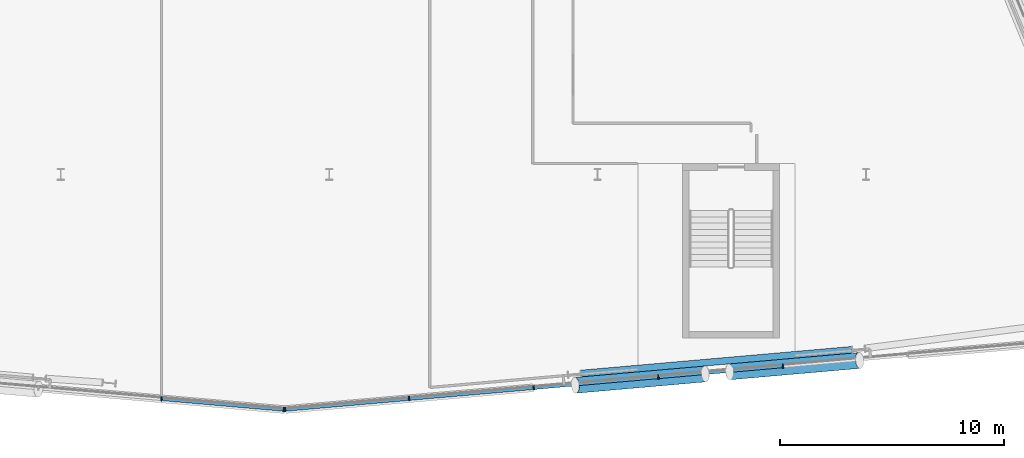
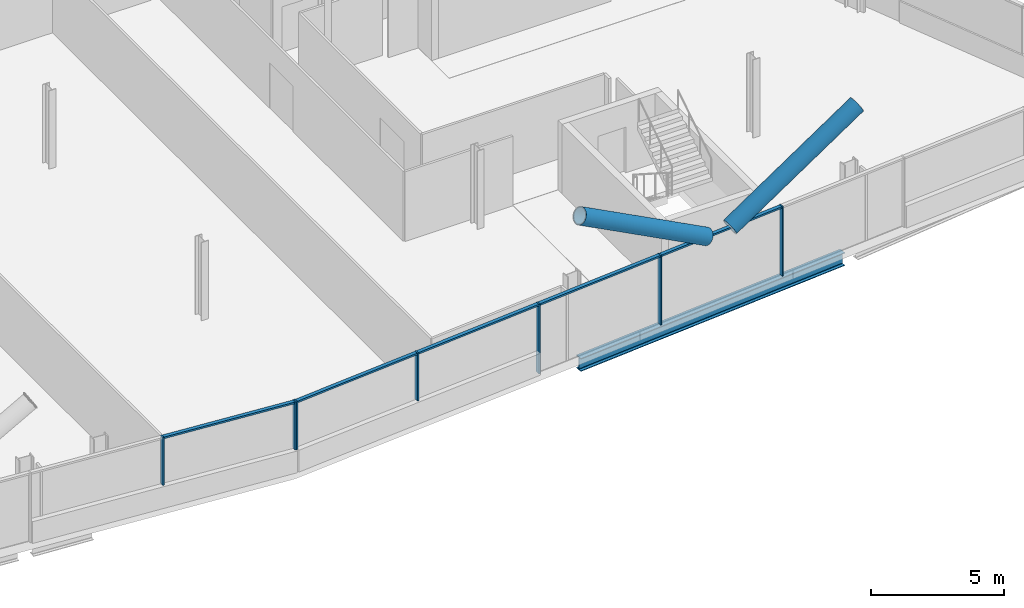
# One storey, part 8 of 26: 14 members, 1 beam, 2 elements without a shape of their own.
"""IFC4 building model written with IfcOpenShell, lengths in metres."""

from ifc_helpers import new_model, si_unit, direction, frame, origin, origin_2d, place, context, subcontext, project, spatial, rectangle, hollow_circle, i_section, extrude, material, material_profile, profile_set, type_object, element, aggregate, save


model = new_model("IFC4")

# Units and contexts
model_context = context("Model", 3, precision=1e-05, world=origin(), true_north=direction((0.0, 1.0)))
body_context = subcontext(model_context, "Body", "Model", "MODEL_VIEW")
ifc_project = project(units=[si_unit("LENGTHUNIT", "METRE"), si_unit("AREAUNIT", "SQUARE_METRE"), si_unit("VOLUMEUNIT", "CUBIC_METRE"), si_unit("PLANEANGLEUNIT", "RADIAN"), si_unit("MASSUNIT", "GRAM", prefix="KILO")], contexts=[model_context])

# Site, building, storey
site_placement = place(None, origin())
site = spatial("IfcSite", under=ifc_project, at=site_placement, CompositionType="ELEMENT")
building_placement = place(site_placement, origin())
building = spatial("IfcBuilding", under=site, at=building_placement, Name="Wharfspan Tower", CompositionType="ELEMENT")
storey_placement = place(building_placement, frame((0.0, 0.0, 180.699951)))
storey = spatial("IfcBuildingStorey", under=building, at=storey_placement, Name="L44", CompositionType="ELEMENT", Elevation=180.699951)

# Beam
ifc_material_1 = material(Name="Steel S355J2", Category="steel")
ifc_material_profile_1 = material_profile(ifc_material_1, i_section(OverallWidth=0.300049, OverallDepth=0.600098, WebThickness=0.015381, FlangeThickness=0.030029, FilletRadius=0.0271, at=origin_2d()))
ifc_profile_set_1 = profile_set([ifc_material_profile_1], Name="Steel S355J2")
beam_type = type_object("IfcBeamType", Name="Edge beam HEB 600", PredefinedType="SPANDREL", material=ifc_profile_set_1)
beam_placement = place(storey_placement, frame((59.265625, 2.600342, -0.699951), z_axis=(0.996195, 0.087155, 0.0), x_axis=(-0.087155, 0.996195, 0.0)))
element("IfcBeam", 1, at=beam_placement, inside=storey, type_object=beam_type, Name="Edge beam S2 L44 PS2.1 to PS2.2", PredefinedType="SPANDREL", context=body_context, shape_type="SweptSolid", body=[
    extrude(i_section(OverallWidth=0.300049, OverallDepth=0.600098, WebThickness=0.015381, FlangeThickness=0.030029, FilletRadius=0.0271, at=origin_2d()), origin(), (0.0, 0.0, 1.0), 12.137695),
])

# Curtain wall, members
ifc_material_2 = material(Name="Aluminium 6063-T6", Category="aluminium")
curtain_wall_type = type_object("IfcCurtainWallType", Name="CURTAIN WALL FACETED FRONT", PredefinedType="NOTDEFINED", material=ifc_material_2)
curtain_wall_1_placement = place(storey_placement, origin())
curtain_wall_1 = element("IfcCurtainWall", 2, at=curtain_wall_1_placement, inside=storey, type_object=curtain_wall_type, Name="Curtain wall S1", PredefinedType="NOTDEFINED")
ifc_material_profile_2 = material_profile(ifc_material_2, rectangle(XDim=0.199951, YDim=0.060059, at=origin_2d()))
ifc_profile_set_2 = profile_set([ifc_material_profile_2], Name="Aluminium 6063-T6")
member_type_1 = type_object("IfcMemberType", Name="MULLION FACETED FRONT 60x200", PredefinedType="MULLION", material=ifc_profile_set_2)
member_1_placement = place(storey_placement, frame((40.5, 1.469238, 1.0), z_axis=(0.0, 0.0, 1.0), x_axis=(0.087156, 0.996198, 0.0)))
member_1 = element("IfcMember", 3, at=member_1_placement, type_object=member_type_1, Name="Curtain wall S1 mullion 6", PredefinedType="MULLION", context=body_context, shape_type="SweptSolid", body=[
    extrude(rectangle(XDim=0.199951, YDim=0.060059, at=origin_2d()), origin(), (0.0, 0.0, 1.0), 2.199951),
])
member_2_placement = place(storey_placement, frame((45.970215, 0.990479, 1.0), z_axis=(0.0, 0.0, 1.0), x_axis=(0.087156, 0.996198, 0.0)))
member_2 = element("IfcMember", 4, at=member_2_placement, type_object=member_type_1, Name="Curtain wall S1 mullion 7", PredefinedType="MULLION", context=body_context, shape_type="SweptSolid", body=[
    extrude(rectangle(XDim=0.199951, YDim=0.060059, at=origin_2d()), origin(), (0.0, 0.0, 1.0), 2.199951),
])

curtain_wall_2_placement = place(storey_placement, origin())
curtain_wall_2 = element("IfcCurtainWall", 5, at=curtain_wall_2_placement, inside=storey, type_object=curtain_wall_type, Name="Curtain wall S2", PredefinedType="NOTDEFINED")
member_3_placement = place(storey_placement, frame((46.029785, 0.990479, 1.0), z_axis=(0.0, 0.0, 1.0), x_axis=(-0.087156, 0.996198, 0.0)))
member_3 = element("IfcMember", 6, at=member_3_placement, type_object=member_type_1, Name="Curtain wall S2 mullion 1", PredefinedType="MULLION", context=body_context, shape_type="SweptSolid", body=[
    extrude(rectangle(XDim=0.199951, YDim=0.060059, at=origin_2d()), origin(), (0.0, 0.0, 1.0), 2.199951),
])
member_4_placement = place(storey_placement, frame((51.571533, 1.475342, 1.0), z_axis=(0.0, 0.0, 1.0), x_axis=(-0.087156, 0.996198, 0.0)))
member_4 = element("IfcMember", 7, at=member_4_placement, type_object=member_type_1, Name="Curtain wall S2 mullion 2", PredefinedType="MULLION", context=body_context, shape_type="SweptSolid", body=[
    extrude(rectangle(XDim=0.199951, YDim=0.060059, at=origin_2d()), origin(), (0.0, 0.0, 1.0), 2.199951),
])
member_5_placement = place(storey_placement, frame((57.142822, 1.962891, 0.0), z_axis=(0.0, 0.0, 1.0), x_axis=(-0.087156, 0.996198, 0.0)))
member_5 = element("IfcMember", 8, at=member_5_placement, type_object=member_type_1, Name="Curtain wall S2 mullion 3", PredefinedType="MULLION", context=body_context, shape_type="SweptSolid", body=[
    extrude(rectangle(XDim=0.199951, YDim=0.060059, at=origin_2d()), origin(), (0.0, 0.0, 1.0), 3.199951),
])
member_6_placement = place(storey_placement, frame((62.714355, 2.450195, 0.0), z_axis=(0.0, 0.0, 1.0), x_axis=(-0.087156, 0.996198, 0.0)))
member_6 = element("IfcMember", 9, at=member_6_placement, type_object=member_type_1, Name="Curtain wall S2 mullion 4", PredefinedType="MULLION", context=body_context, shape_type="SweptSolid", body=[
    extrude(rectangle(XDim=0.199951, YDim=0.060059, at=origin_2d()), origin(), (0.0, 0.0, 1.0), 3.199951),
])
member_7_placement = place(storey_placement, frame((68.285645, 2.937744, 0.0), z_axis=(0.0, 0.0, 1.0), x_axis=(-0.087156, 0.996198, 0.0)))
member_7 = element("IfcMember", 10, at=member_7_placement, type_object=member_type_1, Name="Curtain wall S2 mullion 5", PredefinedType="MULLION", context=body_context, shape_type="SweptSolid", body=[
    extrude(rectangle(XDim=0.199951, YDim=0.060059, at=origin_2d()), origin(), (0.0, 0.0, 1.0), 3.199951),
])

# Members
ifc_material_3 = material(Name="Steel S460NH", Category="steel")
ifc_material_profile_3 = material_profile(ifc_material_3, hollow_circle(Radius=0.355469, WallThickness=0.035889, at=origin_2d()))
ifc_profile_set_3 = profile_set([ifc_material_profile_3], Name="Steel S460NH")
member_type_2 = type_object("IfcMemberType", Name="Mega brace CHS 711x36", PredefinedType="BRACE", material=ifc_profile_set_3)
member_8_placement = place(storey_placement, frame((65.897949, 2.673584, 3.20752), z_axis=(0.867436, 0.075878, 0.491729), x_axis=(-0.08714, 0.996196, -2e-06)))
element("IfcMember", 11, at=member_8_placement, inside=storey, type_object=member_type_2, Name="Mega brace S2 L44 part 2", PredefinedType="BRACE", context=body_context, shape_type="SweptSolid", body=[
    extrude(hollow_circle(Radius=0.355469, WallThickness=0.035889, at=origin_2d()), origin(), (0.0, 0.0, 1.0), 6.695801),
])
member_9_placement = place(storey_placement, frame((64.812744, 2.578613, 3.20752), z_axis=(-0.867427, -0.07588, 0.491745), x_axis=(0.087145, -0.996197, 1e-06)))
element("IfcMember", 12, at=member_9_placement, inside=storey, type_object=member_type_2, Name="Mega brace S2 L44 part 4", PredefinedType="BRACE", context=body_context, shape_type="SweptSolid", body=[
    extrude(hollow_circle(Radius=0.355469, WallThickness=0.035889, at=origin_2d()), origin(), (0.0, 0.0, 1.0), 6.695557),
])

# Member
ifc_material_profile_4 = material_profile(ifc_material_2, rectangle(XDim=0.159912, YDim=0.080078, at=origin_2d()))
ifc_profile_set_4 = profile_set([ifc_material_profile_4], Name="Aluminium 6063-T6")
member_type_3 = type_object("IfcMemberType", Name="TRANSOM FACETED FRONT 80x160", PredefinedType="USERDEFINED", material=ifc_profile_set_4)
member_10_placement = place(storey_placement, frame((40.529785, 1.466553, 3.160156), z_axis=(0.996194, -0.087163, 0.0), x_axis=(0.087163, 0.996194, 0.0)))
member_10 = element("IfcMember", 13, at=member_10_placement, type_object=member_type_3, Name="Curtain wall S1 transom 6", ObjectType="TRANSOM", PredefinedType="USERDEFINED", context=body_context, shape_type="SweptSolid", body=[
    extrude(rectangle(XDim=0.159912, YDim=0.080078, at=origin_2d()), origin(), (0.0, 0.0, 1.0), 5.431152),
])

aggregate(curtain_wall_1, [member_1, member_2, member_10])

member_11_placement = place(storey_placement, frame((46.059814, 0.993164, 3.160156), z_axis=(0.996196, 0.087139, 0.0), x_axis=(-0.087139, 0.996196, 0.0)))
member_11 = element("IfcMember", 14, at=member_11_placement, type_object=member_type_3, Name="Curtain wall S2 transom 1", ObjectType="TRANSOM", PredefinedType="USERDEFINED", context=body_context, shape_type="SweptSolid", body=[
    extrude(rectangle(XDim=0.159912, YDim=0.080078, at=origin_2d()), origin(), (0.0, 0.0, 1.0), 5.502686),
])

member_12_placement = place(storey_placement, frame((51.601318, 1.478027, 3.160156), z_axis=(0.996195, 0.087149, 0.0), x_axis=(-0.087149, 0.996195, 0.0)))
member_12 = element("IfcMember", 15, at=member_12_placement, type_object=member_type_3, Name="Curtain wall S2 transom 2", ObjectType="TRANSOM", PredefinedType="USERDEFINED", context=body_context, shape_type="SweptSolid", body=[
    extrude(rectangle(XDim=0.159912, YDim=0.080078, at=origin_2d()), origin(), (0.0, 0.0, 1.0), 5.532715),
])

member_13_placement = place(storey_placement, frame((57.172852, 1.965332, 3.160156), z_axis=(0.996191, 0.087197, 0.0), x_axis=(-0.087197, 0.996191, 0.0)))
member_13 = element("IfcMember", 16, at=member_13_placement, type_object=member_type_3, Name="Curtain wall S2 transom 3", ObjectType="TRANSOM", PredefinedType="USERDEFINED", context=body_context, shape_type="SweptSolid", body=[
    extrude(rectangle(XDim=0.159912, YDim=0.080078, at=origin_2d()), origin(), (0.0, 0.0, 1.0), 5.532471),
])

member_14_placement = place(storey_placement, frame((62.744141, 2.452881, 3.160156), z_axis=(0.996195, 0.087149, 0.0), x_axis=(-0.087149, 0.996195, 0.0)))
member_14 = element("IfcMember", 17, at=member_14_placement, type_object=member_type_3, Name="Curtain wall S2 transom 4", ObjectType="TRANSOM", PredefinedType="USERDEFINED", context=body_context, shape_type="SweptSolid", body=[
    extrude(rectangle(XDim=0.159912, YDim=0.080078, at=origin_2d()), origin(), (0.0, 0.0, 1.0), 5.532715),
])

aggregate(curtain_wall_2, [member_3, member_4, member_5, member_6, member_7, member_11, member_12, member_13, member_14])

save(model, "model.ifc")
